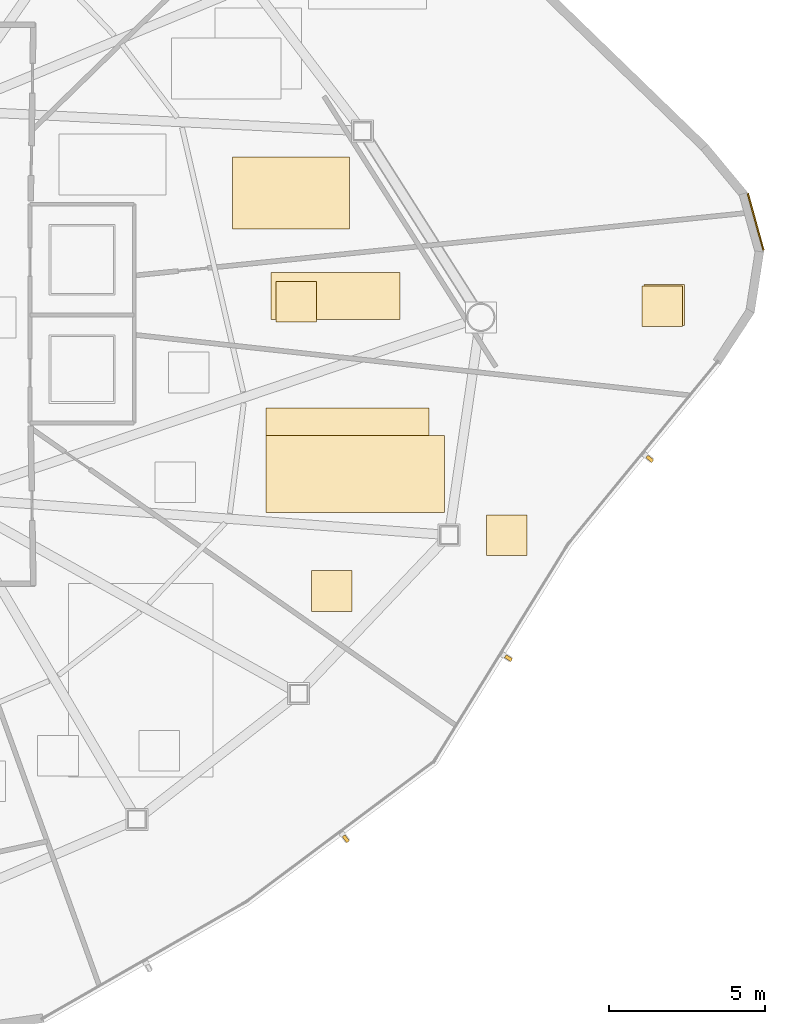
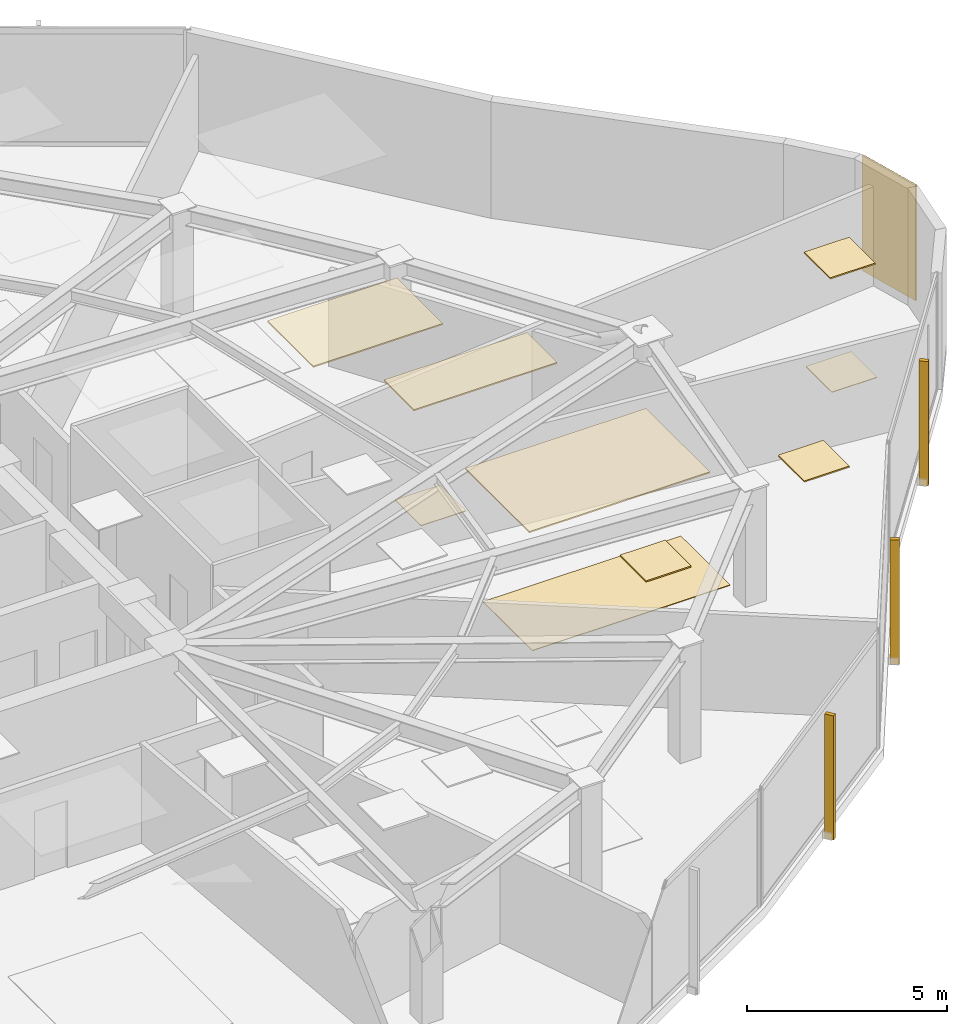
# One storey, part 17 of 18: 10 coverings, 3 shading devices.
"""IFC4 building model written with IfcOpenShell, lengths in metres."""

from ifc_helpers import new_model, si_unit, direction, frame, origin, origin_2d, place, context, subcontext, project, spatial, polyline, rectangle, outline, extrude, source, transform, mapped, material, layer, layer_set, type_object, type_shapes, element, save


model = new_model("IFC4")

# Units and contexts
model_context = context("Model", 3, precision=1e-05, world=origin(), true_north=direction((0.0, 1.0)))
body_context = subcontext(model_context, "Body", "Model", "MODEL_VIEW")
ifc_project = project(units=[si_unit("LENGTHUNIT", "METRE"), si_unit("AREAUNIT", "SQUARE_METRE"), si_unit("VOLUMEUNIT", "CUBIC_METRE"), si_unit("PLANEANGLEUNIT", "RADIAN"), si_unit("MASSUNIT", "GRAM", prefix="KILO")], contexts=[model_context])

# Site, building, storey
site_placement = place(None, origin())
site = spatial("IfcSite", under=ifc_project, at=site_placement, CompositionType="ELEMENT")
building_placement = place(site_placement, origin())
building = spatial("IfcBuilding", under=site, at=building_placement, Name="Tavelor Broadcast Tower", CompositionType="ELEMENT")
storey_placement = place(building_placement, frame((0.0, 0.0, 173.35009765625)))
storey = spatial("IfcBuildingStorey", under=building, at=storey_placement, Name="L41", CompositionType="ELEMENT", Elevation=173.35009765625)

# Coverings
ifc_material_1 = material(Name="Copper-Bronze Anodized Aluminium", Category="aluminium")
ifc_layer_1 = layer(ifc_material_1, 0.050048828125)
ifc_layer_set_1 = layer_set([ifc_layer_1], Name="Copper-Bronze Anodized Aluminium")
covering_type_1 = type_object("IfcCoveringType", Name="Champagne-Bronze Corner Pier Metal Cladding 50 mm", PredefinedType="CLADDING", material=ifc_layer_set_1)
covering_1_placement = place(storey_placement, frame((82.4755859375, 47.634765625, 0.02001953125), z_axis=(0.0, 0.0, 1.0), x_axis=(-0.266397348219, 0.963863295733, 0.0)))
element("IfcCovering", 1, at=covering_1_placement, inside=storey, type_object=covering_type_1, Name="L41 Champagne-Bronze Corner Cladding 23", PredefinedType="CLADDING", context=body_context, shape_type="SweptSolid", body=[
    extrude(rectangle(XDim=1.880615234375, YDim=0.050048828125, at=origin_2d()), origin(), (0.0, 0.0, 1.0), 3.510009765625),
])
ifc_material_2 = material(Name="Acoustic Nylon Carpet Tile")
ifc_layer_2 = layer(ifc_material_2, 0.02001953125)
ifc_layer_set_2 = layer_set([ifc_layer_2], Name="Acoustic Nylon Carpet Tile")
covering_type_2 = type_object("IfcCoveringType", Name="Heavy-Duty Acoustic Broadcast Carpet Tile 20 mm", PredefinedType="FLOORING", material=ifc_layer_set_2)
covering_2_placement = place(storey_placement, origin())
element("IfcCovering", 2, at=covering_2_placement, inside=storey, type_object=covering_type_2, Name="L41 Broadcast Floor Finish 0607", PredefinedType="FLOORING", context=body_context, shape_type="SweptSolid", body=[
    extrude(outline(polyline([(67.115234375, 44.422607421875), (68.415283203125, 44.422607421875), (68.415283203125, 45.72265625), (67.115234375, 45.72265625), (67.115234375, 44.422607421875)])), origin(), (0.0, 0.0, 1.0), 0.02001953125),
])
covering_3_placement = place(storey_placement, origin())
element("IfcCovering", 3, at=covering_3_placement, inside=storey, type_object=covering_type_2, Name="L41 Broadcast Floor Finish 0608", PredefinedType="FLOORING", context=body_context, shape_type="SweptSolid", body=[
    extrude(outline(polyline([(78.902099609375, 44.324951171875), (80.2021484375, 44.324951171875), (80.2021484375, 45.625), (78.902099609375, 45.625), (78.902099609375, 44.324951171875)])), origin(), (0.0, 0.0, 1.0), 0.02001953125),
])
covering_4_placement = place(storey_placement, origin())
element("IfcCovering", 4, at=covering_4_placement, inside=storey, type_object=covering_type_2, Name="L41 Broadcast Floor Finish 0609", PredefinedType="FLOORING", context=body_context, shape_type="SweptSolid", body=[
    extrude(outline(polyline([(66.7998046875, 38.326904296875), (72.508544921875, 38.326904296875), (72.508544921875, 40.789306640625), (66.7998046875, 40.789306640625), (66.7998046875, 38.326904296875)])), origin(), (0.0, 0.0, 1.0), 0.02001953125),
])
ifc_material_3 = material(Name="Acoustic Mineral Fibre Tile")
ifc_layer_3 = layer(ifc_material_3, 0.0400390625)
ifc_layer_set_3 = layer_set([ifc_layer_3], Name="Acoustic Mineral Fibre Tile")
covering_type_3 = type_object("IfcCoveringType", Name="Suspended Acoustic Mineral-Fibre Office Ceiling 40 mm", PredefinedType="CEILING", material=ifc_layer_set_3)
covering_5_placement = place(storey_placement, frame((0.0, 0.0, 3.510009765625)))
element("IfcCovering", 5, at=covering_5_placement, inside=storey, type_object=covering_type_3, Name="L41 Suspended Acoustic Ceiling 1720", PredefinedType="CEILING", context=body_context, shape_type="SweptSolid", body=[
    extrude(outline(polyline([(65.731201171875, 47.40771484375), (69.466796875, 47.40771484375), (69.466796875, 49.707763671875), (65.731201171875, 49.707763671875), (65.731201171875, 47.40771484375)])), origin(), (0.0, 0.0, 1.0), 0.039794921875),
])
covering_6_placement = place(storey_placement, frame((0.0, 0.0, 3.510009765625)))
element("IfcCovering", 6, at=covering_6_placement, inside=storey, type_object=covering_type_3, Name="L41 Suspended Acoustic Ceiling 1721", PredefinedType="CEILING", context=body_context, shape_type="SweptSolid", body=[
    extrude(outline(polyline([(66.962158203125, 44.512451171875), (71.08984375, 44.512451171875), (71.08984375, 46.019287109375), (66.962158203125, 46.019287109375), (66.962158203125, 44.512451171875)])), origin(), (0.0, 0.0, 1.0), 0.039794921875),
])
covering_7_placement = place(storey_placement, frame((0.0, 0.0, 3.510009765625)))
element("IfcCovering", 7, at=covering_7_placement, inside=storey, type_object=covering_type_3, Name="L41 Suspended Acoustic Ceiling 1722", PredefinedType="CEILING", context=body_context, shape_type="SweptSolid", body=[
    extrude(outline(polyline([(78.835205078125, 44.288818359375), (80.135009765625, 44.288818359375), (80.135009765625, 45.5888671875), (78.835205078125, 45.5888671875), (78.835205078125, 44.288818359375)])), origin(), (0.0, 0.0, 1.0), 0.039794921875),
])
covering_8_placement = place(storey_placement, frame((0.0, 0.0, 3.510009765625)))
element("IfcCovering", 8, at=covering_8_placement, inside=storey, type_object=covering_type_3, Name="L41 Suspended Acoustic Ceiling 1723", PredefinedType="CEILING", context=body_context, shape_type="SweptSolid", body=[
    extrude(outline(polyline([(73.853759765625, 36.95751953125), (75.15380859375, 36.95751953125), (75.15380859375, 38.25732421875), (73.853759765625, 38.25732421875), (73.853759765625, 36.95751953125)])), origin(), (0.0, 0.0, 1.0), 0.039794921875),
])
covering_9_placement = place(storey_placement, frame((0.0, 0.0, 3.510009765625)))
element("IfcCovering", 9, at=covering_9_placement, inside=storey, type_object=covering_type_3, Name="L41 Suspended Acoustic Ceiling 1724", PredefinedType="CEILING", context=body_context, shape_type="SweptSolid", body=[
    extrude(outline(polyline([(68.257080078125, 35.165771484375), (69.55712890625, 35.165771484375), (69.55712890625, 36.4658203125), (68.257080078125, 36.4658203125), (68.257080078125, 35.165771484375)])), origin(), (0.0, 0.0, 1.0), 0.039794921875),
])
covering_10_placement = place(storey_placement, frame((0.0, 0.0, 3.510009765625)))
element("IfcCovering", 10, at=covering_10_placement, inside=storey, type_object=covering_type_3, Name="L41 Suspended Acoustic Ceiling 1727", PredefinedType="CEILING", context=body_context, shape_type="SweptSolid", body=[
    extrude(outline(polyline([(66.80126953125, 38.476806640625), (72.0126953125, 38.476806640625), (72.0126953125, 41.673095703125), (66.80126953125, 41.673095703125), (66.80126953125, 38.476806640625)])), origin(), (0.0, 0.0, 1.0), 0.039794921875),
])

# Shading devices
ifc_material_4 = material(Name="Kiln-Fired Glazed Terracotta", Category="masonry")
shading_device_type = type_object("IfcShadingDeviceType", Name="Extruded Terracotta Baguette Sun-Screen 110x240", PredefinedType="JALOUSIE", material=ifc_material_4)
shared_shape = source(origin(), body_context, "Body", "SweptSolid", [
    extrude(rectangle(XDim=0.110107421875, YDim=0.239990234375, at=origin_2d()), origin(), (0.0, 0.0, 1.0), 3.7900390625),
])
type_shapes(shading_device_type, [shared_shape])
for number, where, z_axis, x_axis, name in (
    (11, (69.356689453125, 27.883056640625, -0.260009765625), (0.0, 0.0, 1.0), (0.800940420843, 0.59874405405, 0.0), "L41 Terracotta Baguette Fin 426"),
    (12, (74.5634765625, 33.666748046875, -0.260009765625), (0.0, 0.0, 1.0), (0.524877544859, 0.851177750474, 0.0), "L41 Terracotta Baguette Fin 427"),
    (13, (79.0869140625, 40.048095703125, -0.260009765625), (0.0, 0.0, 1.0), (0.633650955225, 0.773619070953, 0.0), "L41 Terracotta Baguette Fin 428"),
):
    element("IfcShadingDevice", number, at=place(storey_placement, frame(where, z_axis=z_axis, x_axis=x_axis)), inside=storey, type_object=shading_device_type, Name=name, PredefinedType="JALOUSIE", context=body_context, shape_type="MappedRepresentation", body=[
        mapped(shared_shape, transform((0.0, 0.0, 0.0), scale=1.0)),
    ])

save(model, "model.ifc")
